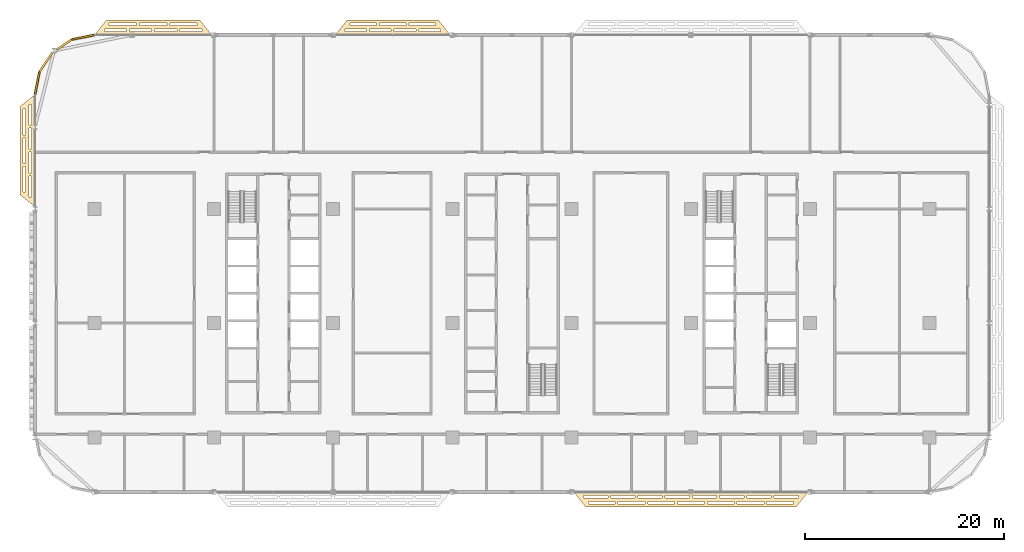
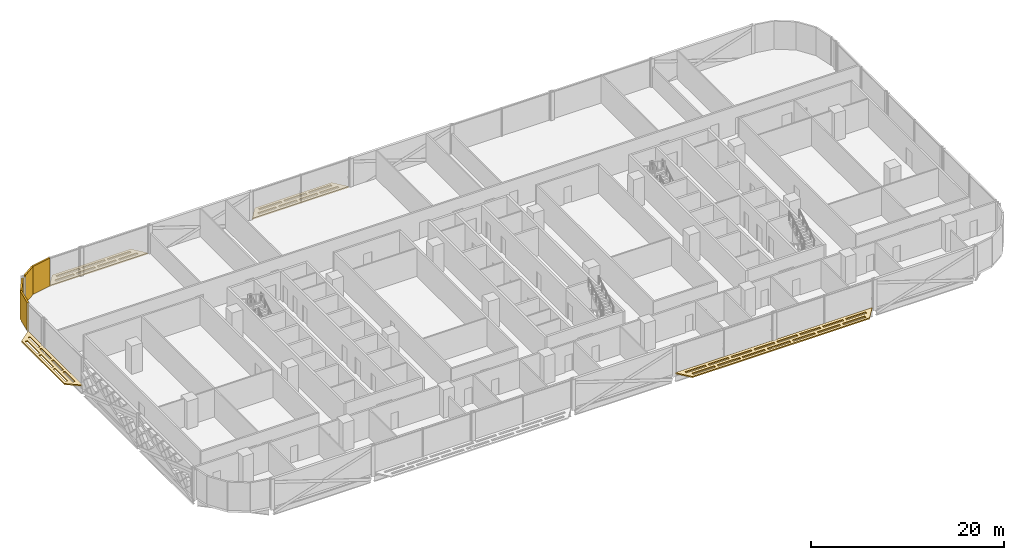
# One storey, part 27 of 29: 8 coverings.
"""IFC4 building model written with IfcOpenShell, lengths in metres."""

from ifc_helpers import new_model, si_unit, direction, frame, origin, origin_2d, place, context, subcontext, project, spatial, polyline, rectangle, outline, extrude, material, layer, layer_set, type_object, element, save


model = new_model("IFC4")

# Units and contexts
model_context = context("Model", 3, precision=1e-05, world=origin(), true_north=direction((0.0, 1.0)))
body_context = subcontext(model_context, "Body", "Model", "MODEL_VIEW")
ifc_project = project(units=[si_unit("LENGTHUNIT", "METRE"), si_unit("AREAUNIT", "SQUARE_METRE"), si_unit("VOLUMEUNIT", "CUBIC_METRE"), si_unit("PLANEANGLEUNIT", "RADIAN"), si_unit("MASSUNIT", "GRAM", prefix="KILO")], contexts=[model_context])

# Site, building, storey
site_placement = place(None, origin())
site = spatial("IfcSite", under=ifc_project, at=site_placement, CompositionType="ELEMENT")
building_placement = place(site_placement, origin())
building = spatial("IfcBuilding", under=site, at=building_placement, Name="Mahtab Terrace Research Tower", CompositionType="ELEMENT")
storey_placement = place(building_placement, frame((0.0, 0.0, 150.699951171875)))
storey = spatial("IfcBuildingStorey", under=building, at=storey_placement, Name="L35", CompositionType="ELEMENT", Elevation=150.699951171875)

# Coverings
ifc_material_1 = material(Name="Black aluminium cladding panel", Category="aluminium")
ifc_layer_1 = layer(ifc_material_1, 0.199951171875)
ifc_layer_set_1 = layer_set([ifc_layer_1], Name="Black metal corner cladding 200")
covering_type_1 = type_object("IfcCoveringType", Name="Black metal corner cladding 200", PredefinedType="CLADDING", material=ifc_layer_set_1)
covering_1_placement = place(storey_placement, frame((-43.14794921875, 28.771484375, 0.0), z_axis=(0.0, 0.0, 1.0), x_axis=(-0.980760981187, -0.195212442692, 0.0)))
element("IfcCovering", 1, at=covering_1_placement, inside=storey, type_object=covering_type_1, Name="Corner cladding L35 11", PredefinedType="CLADDING", context=body_context, shape_type="SweptSolid", body=[
    extrude(rectangle(XDim=2.30126953125, YDim=0.199951171875, at=origin_2d()), origin(), (0.0, 0.0, 1.0), 3.550048828125),
])
covering_2_placement = place(storey_placement, frame((-45.049560546875, 28.039794921875, 0.0), z_axis=(0.0, 0.0, 1.0), x_axis=(-0.831655794326, -0.555291490808, 0.0)))
element("IfcCovering", 2, at=covering_2_placement, inside=storey, type_object=covering_type_1, Name="Corner cladding L35 12", PredefinedType="CLADDING", context=body_context, shape_type="SweptSolid", body=[
    extrude(rectangle(XDim=1.772216796875, YDim=0.199951171875, at=origin_2d()), origin(), (0.0, 0.0, 1.0), 3.550048828125),
])
for number, where, z_axis, x_axis, name in (
    (3, (-46.89306640625, 26.26953125, 0.0), (0.0, 0.0, 1.0), (-0.555291490808, -0.831655794326, 0.0), "Corner cladding L35 13"),
    (4, (-47.771484375, 24.14794921875, 0.0), (0.0, 0.0, 1.0), (-0.195212442692, -0.980760981187, 0.0), "Corner cladding L35 14"),
):
    element("IfcCovering", number, at=place(storey_placement, frame(where, z_axis=z_axis, x_axis=x_axis)), inside=storey, type_object=covering_type_1, Name=name, PredefinedType="CLADDING", context=body_context, shape_type="SweptSolid", body=[
        extrude(rectangle(XDim=2.30126953125, YDim=0.199951171875, at=origin_2d()), origin(), (0.0, 0.0, 1.0), 3.550048828125),
    ])
ifc_material_2 = material(Name="Black anodised aluminium", Category="aluminium")
ifc_layer_2 = layer(ifc_material_2, 0.14990234375)
ifc_layer_set_2 = layer_set([ifc_layer_2], Name="Horizontal sunshade band")
covering_type_2 = type_object("IfcCoveringType", Name="Horizontal sunshade band", PredefinedType="CLADDING", material=ifc_layer_set_2)
covering_3_placement = place(storey_placement, frame((0.0, 0.0, -0.14990234375)))
element("IfcCovering", 5, at=covering_3_placement, inside=storey, type_object=covering_type_2, Name="Sunshade band L35 7", PredefinedType="CLADDING", context=body_context, shape_type="SweptSolid", body=[
    extrude(outline(polyline([(-6.218017578125, 29.0), (-17.781982421875, 29.0), (-16.58203125, 30.5), (-7.41796875, 30.5), (-6.218017578125, 29.0)]), holes=[polyline([(-7.197998046875, 29.35009765625), (-9.3740234375, 29.35009765625), (-9.3740234375, 29.60009765625), (-7.197998046875, 29.60009765625), (-7.197998046875, 29.35009765625)]), polyline([(-9.674072265625, 29.35009765625), (-11.85009765625, 29.35009765625), (-11.85009765625, 29.60009765625), (-9.674072265625, 29.60009765625), (-9.674072265625, 29.35009765625)]), polyline([(-12.14990234375, 29.35009765625), (-14.325927734375, 29.35009765625), (-14.325927734375, 29.60009765625), (-12.14990234375, 29.60009765625), (-12.14990234375, 29.35009765625)]), polyline([(-14.6259765625, 29.35009765625), (-16.802001953125, 29.35009765625), (-16.802001953125, 29.60009765625), (-14.6259765625, 29.60009765625), (-14.6259765625, 29.35009765625)]), polyline([(-7.677978515625, 29.949951171875), (-10.35888671875, 29.949951171875), (-10.35888671875, 30.199951171875), (-7.677978515625, 30.199951171875), (-7.677978515625, 29.949951171875)]), polyline([(-10.658935546875, 29.949951171875), (-13.341064453125, 29.949951171875), (-13.341064453125, 30.199951171875), (-10.658935546875, 30.199951171875), (-10.658935546875, 29.949951171875)]), polyline([(-13.64111328125, 29.949951171875), (-16.322021484375, 29.949951171875), (-16.322021484375, 30.199951171875), (-13.64111328125, 30.199951171875), (-13.64111328125, 29.949951171875)])]), origin(), (0.0, 0.0, 1.0), 0.14990234375),
])
covering_4_placement = place(storey_placement, frame((0.0, 0.0, -0.14990234375)))
element("IfcCovering", 6, at=covering_4_placement, inside=storey, type_object=covering_type_2, Name="Sunshade band L35 9", PredefinedType="CLADDING", context=body_context, shape_type="SweptSolid", body=[
    extrude(outline(polyline([(-30.218017578125, 29.0), (-42.0, 29.0), (-40.800048828125, 30.5), (-31.41796875, 30.5), (-30.218017578125, 29.0)]), holes=[polyline([(-31.197998046875, 29.35009765625), (-33.427978515625, 29.35009765625), (-33.427978515625, 29.60009765625), (-31.197998046875, 29.60009765625), (-31.197998046875, 29.35009765625)]), polyline([(-33.72900390625, 29.35009765625), (-35.958984375, 29.35009765625), (-35.958984375, 29.60009765625), (-33.72900390625, 29.60009765625), (-33.72900390625, 29.35009765625)]), polyline([(-36.259033203125, 29.35009765625), (-38.489013671875, 29.35009765625), (-38.489013671875, 29.60009765625), (-36.259033203125, 29.60009765625), (-36.259033203125, 29.35009765625)]), polyline([(-38.7900390625, 29.35009765625), (-41.02001953125, 29.35009765625), (-41.02001953125, 29.60009765625), (-38.7900390625, 29.60009765625), (-38.7900390625, 29.35009765625)]), polyline([(-31.677978515625, 29.949951171875), (-34.431884765625, 29.949951171875), (-34.431884765625, 30.199951171875), (-31.677978515625, 30.199951171875), (-31.677978515625, 29.949951171875)]), polyline([(-34.73193359375, 29.949951171875), (-37.486083984375, 29.949951171875), (-37.486083984375, 30.199951171875), (-34.73193359375, 30.199951171875), (-34.73193359375, 29.949951171875)]), polyline([(-37.785888671875, 29.949951171875), (-40.5400390625, 29.949951171875), (-40.5400390625, 30.199951171875), (-37.785888671875, 30.199951171875), (-37.785888671875, 29.949951171875)])]), origin(), (0.0, 0.0, 1.0), 0.14990234375),
])
covering_5_placement = place(storey_placement, frame((0.0, 0.0, -0.14990234375)))
element("IfcCovering", 7, at=covering_5_placement, inside=storey, type_object=covering_type_2, Name="Sunshade band L35 15", PredefinedType="CLADDING", context=body_context, shape_type="SweptSolid", body=[
    extrude(outline(polyline([(-48.0, 23.0), (-48.0, 11.718017578125), (-49.5, 12.91796875), (-49.5, 21.800048828125), (-48.0, 23.0)]), holes=[polyline([(-48.35009765625, 22.02001953125), (-48.35009765625, 19.9150390625), (-48.60009765625, 19.9150390625), (-48.60009765625, 22.02001953125), (-48.35009765625, 22.02001953125)]), polyline([(-48.35009765625, 19.614013671875), (-48.35009765625, 17.509033203125), (-48.60009765625, 17.509033203125), (-48.60009765625, 19.614013671875), (-48.35009765625, 19.614013671875)]), polyline([(-48.35009765625, 17.208984375), (-48.35009765625, 15.10400390625), (-48.60009765625, 15.10400390625), (-48.60009765625, 17.208984375), (-48.35009765625, 17.208984375)]), polyline([(-48.35009765625, 14.803955078125), (-48.35009765625, 12.697998046875), (-48.60009765625, 12.697998046875), (-48.60009765625, 14.803955078125), (-48.35009765625, 14.803955078125)]), polyline([(-48.949951171875, 21.5400390625), (-48.949951171875, 18.952880859375), (-49.199951171875, 18.952880859375), (-49.199951171875, 21.5400390625), (-48.949951171875, 21.5400390625)]), polyline([(-48.949951171875, 18.653076171875), (-48.949951171875, 16.06494140625), (-49.199951171875, 16.06494140625), (-49.199951171875, 18.653076171875), (-48.949951171875, 18.653076171875)]), polyline([(-48.949951171875, 15.764892578125), (-48.949951171875, 13.177978515625), (-49.199951171875, 13.177978515625), (-49.199951171875, 15.764892578125), (-48.949951171875, 15.764892578125)])]), origin(), (0.0, 0.0, 1.0), 0.14990234375),
])
covering_6_placement = place(storey_placement, frame((0.0, 0.0, -0.14990234375)))
element("IfcCovering", 8, at=covering_6_placement, inside=storey, type_object=covering_type_2, Name="Sunshade band L35 28", PredefinedType="CLADDING", context=body_context, shape_type="SweptSolid", body=[
    extrude(outline(polyline([(6.218017578125, -17.0), (29.781982421875, -17.0), (28.58203125, -18.5), (7.41796875, -18.5), (6.218017578125, -17.0)]), holes=[polyline([(7.197998046875, -17.35009765625), (9.635986328125, -17.35009765625), (9.635986328125, -17.60009765625), (7.197998046875, -17.60009765625), (7.197998046875, -17.35009765625)]), polyline([(9.93603515625, -17.35009765625), (12.3740234375, -17.35009765625), (12.3740234375, -17.60009765625), (9.93603515625, -17.60009765625), (9.93603515625, -17.35009765625)]), polyline([(12.674072265625, -17.35009765625), (15.112060546875, -17.35009765625), (15.112060546875, -17.60009765625), (12.674072265625, -17.60009765625), (12.674072265625, -17.35009765625)]), polyline([(15.412109375, -17.35009765625), (17.85009765625, -17.35009765625), (17.85009765625, -17.60009765625), (15.412109375, -17.60009765625), (15.412109375, -17.35009765625)]), polyline([(18.14990234375, -17.35009765625), (20.587890625, -17.35009765625), (20.587890625, -17.60009765625), (18.14990234375, -17.60009765625), (18.14990234375, -17.35009765625)]), polyline([(20.887939453125, -17.35009765625), (23.325927734375, -17.35009765625), (23.325927734375, -17.60009765625), (20.887939453125, -17.60009765625), (20.887939453125, -17.35009765625)]), polyline([(23.6259765625, -17.35009765625), (26.06396484375, -17.35009765625), (26.06396484375, -17.60009765625), (23.6259765625, -17.60009765625), (23.6259765625, -17.35009765625)]), polyline([(26.364013671875, -17.35009765625), (28.802001953125, -17.35009765625), (28.802001953125, -17.60009765625), (26.364013671875, -17.60009765625), (26.364013671875, -17.35009765625)]), polyline([(7.677978515625, -17.949951171875), (10.3701171875, -17.949951171875), (10.3701171875, -18.199951171875), (7.677978515625, -18.199951171875), (7.677978515625, -17.949951171875)]), polyline([(10.669921875, -17.949951171875), (13.362060546875, -17.949951171875), (13.362060546875, -18.199951171875), (10.669921875, -18.199951171875), (10.669921875, -17.949951171875)]), polyline([(13.662109375, -17.949951171875), (16.35400390625, -17.949951171875), (16.35400390625, -18.199951171875), (13.662109375, -18.199951171875), (13.662109375, -17.949951171875)]), polyline([(16.654052734375, -17.949951171875), (19.345947265625, -17.949951171875), (19.345947265625, -18.199951171875), (16.654052734375, -18.199951171875), (16.654052734375, -17.949951171875)]), polyline([(19.64599609375, -17.949951171875), (22.337890625, -17.949951171875), (22.337890625, -18.199951171875), (19.64599609375, -18.199951171875), (19.64599609375, -17.949951171875)]), polyline([(22.637939453125, -17.949951171875), (25.330078125, -17.949951171875), (25.330078125, -18.199951171875), (22.637939453125, -18.199951171875), (22.637939453125, -17.949951171875)]), polyline([(25.6298828125, -17.949951171875), (28.322021484375, -17.949951171875), (28.322021484375, -18.199951171875), (25.6298828125, -18.199951171875), (25.6298828125, -17.949951171875)])]), origin(), (0.0, 0.0, 1.0), 0.14990234375),
])

save(model, "model.ifc")
